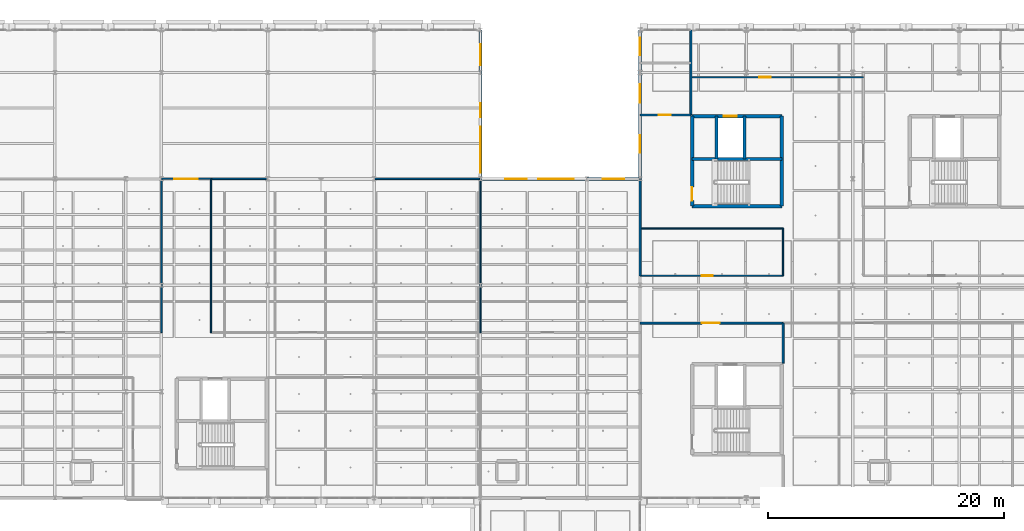
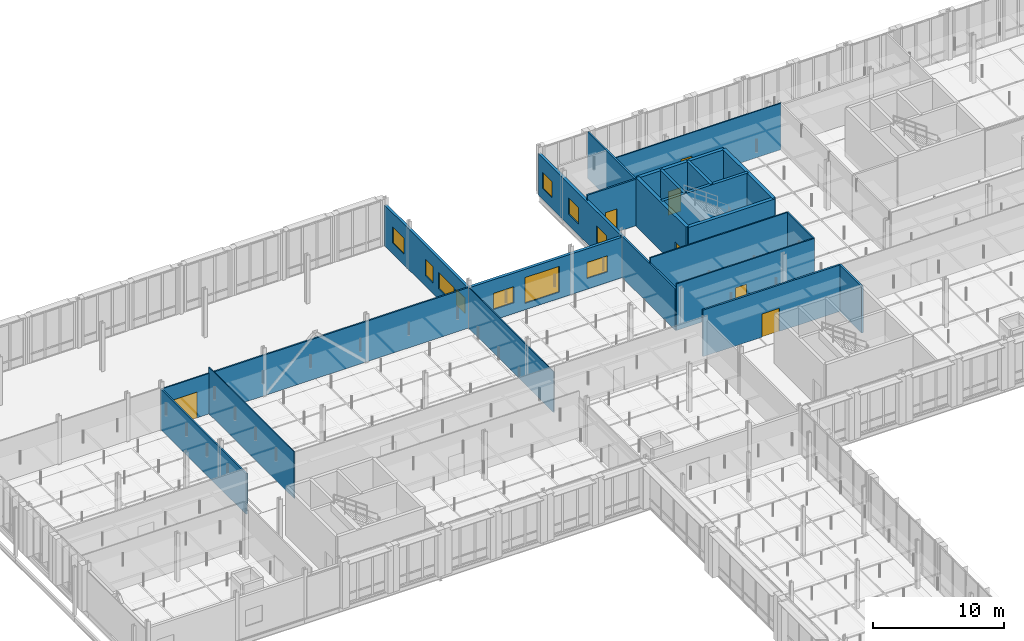
# One storey, part 72 of 130: 24 walls, 10 windows, 7 doors, 17 openings.
"""IFC4 building model written with IfcOpenShell, lengths in metres."""

from ifc_helpers import new_model, si_unit, direction, frame, frame_2d, origin, place, context, subcontext, project, spatial, rectangle, extrude, material, layer, layer_set, type_object, element, fill, save


model = new_model("IFC4")

# Units and contexts
model_context = context("Model", 3, precision=1e-05, world=origin(), true_north=direction((0.0, 1.0)))
body_context = subcontext(model_context, "Body", "Model", "MODEL_VIEW")
ifc_project = project(units=[si_unit("LENGTHUNIT", "METRE"), si_unit("AREAUNIT", "SQUARE_METRE"), si_unit("VOLUMEUNIT", "CUBIC_METRE"), si_unit("PLANEANGLEUNIT", "RADIAN"), si_unit("MASSUNIT", "GRAM", prefix="KILO"), si_unit("THERMODYNAMICTEMPERATUREUNIT", "KELVIN"), si_unit("POWERUNIT", "WATT")], contexts=[model_context])

# Site, building, storey
site_placement = place(None, origin())
site = spatial("IfcSite", under=ifc_project, at=site_placement, CompositionType="ELEMENT")
building_placement = place(site_placement, origin())
building = spatial("IfcBuilding", under=site, at=building_placement, Name="Tallowbark Science Centre", CompositionType="ELEMENT")
storey_placement = place(building_placement, frame((0.0, 0.0, 5.39990234375)))
storey = spatial("IfcBuildingStorey", under=building, at=storey_placement, Name="L01", CompositionType="ELEMENT", Elevation=5.39990234375)

# Wall, openings, windows
ifc_material_1 = material(Name="Hawkesbury Sandstone Faced Masonry Cavity Wall", Category="masonry")
ifc_layer_1 = layer(ifc_material_1, 0.22998046875)
ifc_layer_set_1 = layer_set([ifc_layer_1], Name="Hawkesbury Sandstone Faced Masonry Cavity Wall")
wall_type_1 = type_object("IfcWallType", Name="EWL-MAS-230", PredefinedType="STANDARD", material=ifc_layer_set_1)
wall_1_placement = place(storey_placement, frame((99.0, 99.0, 0.0), z_axis=(0.0, 0.0, 1.0), x_axis=(0.0, 1.0, 0.0)))
wall_1 = element("IfcWall", 1, at=wall_1_placement, inside=storey, type_object=wall_type_1, Name="Exterior Wall CAF-E-L01", PredefinedType="STANDARD", context=body_context, shape_type="SweptSolid", body=[
    extrude(rectangle(XDim=12.60009765625, YDim=0.22998046875, at=frame_2d((6.300048828125, 0.0))), origin(), (0.0, 0.0, 1.0), 3.77197265625),
])
opening_1_placement = place(wall_1_placement, frame((2.0, 0.0, 1.0)))
opening_1 = element("IfcOpeningElement", 2, at=opening_1_placement, cuts=wall_1, Name="Opening W-10", PredefinedType="OPENING", context=body_context, shape_type="SweptSolid", body=[
    extrude(rectangle(XDim=2.39990234375, YDim=1.5, at=frame_2d((1.199951171875, 0.75))), frame((0.0, 0.125, 0.0), z_axis=(0.0, -1.0, 0.0), x_axis=(1.0, 0.0, 0.0)), (0.0, 0.0, 1.0), 0.25),
])
opening_2_placement = place(wall_1_placement, frame((9.60009765625, 0.0, 1.0)))
opening_2 = element("IfcOpeningElement", 3, at=opening_2_placement, cuts=wall_1, Name="Opening W-09", PredefinedType="OPENING", context=body_context, shape_type="SweptSolid", body=[
    extrude(rectangle(XDim=1.800048828125, YDim=1.5, at=frame_2d((0.89990234375, 0.75))), frame((0.0, 0.125, 0.0), z_axis=(0.0, -1.0, 0.0), x_axis=(1.0, 0.0, 0.0)), (0.0, 0.0, 1.0), 0.25),
])
opening_3_placement = place(wall_1_placement, frame((5.199951171875, 0.0, 1.0)))
opening_3 = element("IfcOpeningElement", 4, at=opening_3_placement, cuts=wall_1, Name="Opening W-07", PredefinedType="OPENING", context=body_context, shape_type="SweptSolid", body=[
    extrude(rectangle(XDim=1.199951171875, YDim=1.5, at=frame_2d((0.60009765625, 0.75))), frame((0.0, 0.125, 0.0), z_axis=(0.0, -1.0, 0.0), x_axis=(1.0, 0.0, 0.0)), (0.0, 0.0, 1.0), 0.25),
])
opening_4_placement = place(wall_1_placement, frame((0.5, 0.0, 1.0)))
opening_4 = element("IfcOpeningElement", 5, at=opening_4_placement, cuts=wall_1, Name="Opening WS-05", PredefinedType="OPENING", context=body_context, shape_type="SweptSolid", body=[
    extrude(rectangle(XDim=1.35009765625, YDim=1.449951171875, at=frame_2d((0.675048828125, 0.72509765625))), frame((0.0, 0.125, 0.0), z_axis=(0.0, -1.0, 0.0), x_axis=(1.0, 0.0, 0.0)), (0.0, 0.0, 1.0), 0.25),
])
ifc_material_2 = material(Name="Thermally Broken Aluminium and Low-E Double Glazing", Category="aluminium")
window_type_1 = type_object("IfcWindowType", Name="WIN-F120x150", PartitioningType="SINGLE_PANEL", PredefinedType="WINDOW", material=ifc_material_2)
window_1_placement = place(opening_3_placement, origin())
window_1 = element("IfcWindow", 6, at=window_1_placement, inside=storey, type_object=window_type_1, Name="Window XOP-05", OverallHeight=1.5, OverallWidth=1.199951171875, PartitioningType="SINGLE_PANEL", PredefinedType="WINDOW", context=body_context, shape_type="SweptSolid", body=[
    extrude(rectangle(XDim=1.199951171875, YDim=1.5, at=frame_2d((0.60009765625, 0.75))), frame((0.0, 0.030029296875, 0.0), z_axis=(0.0, -1.0, 0.0), x_axis=(1.0, 0.0, 0.0)), (0.0, 0.0, 1.0), 0.06005859375),
])
fill(opening_3, window_1)
window_type_2 = type_object("IfcWindowType", Name="WIN-F180x150", PartitioningType="SINGLE_PANEL", PredefinedType="WINDOW", material=ifc_material_2)
window_2_placement = place(opening_2_placement, origin())
window_2 = element("IfcWindow", 7, at=window_2_placement, inside=storey, type_object=window_type_2, Name="Window WIN-L01-0031", OverallHeight=1.5, OverallWidth=1.800048828125, PartitioningType="SINGLE_PANEL", PredefinedType="WINDOW", context=body_context, shape_type="SweptSolid", body=[
    extrude(rectangle(XDim=1.800048828125, YDim=1.5, at=frame_2d((0.89990234375, 0.75))), frame((0.0, 0.030029296875, 0.0), z_axis=(0.0, -1.0, 0.0), x_axis=(1.0, 0.0, 0.0)), (0.0, 0.0, 1.0), 0.06005859375),
])
fill(opening_2, window_2)
window_type_3 = type_object("IfcWindowType", Name="WIN-F240x150", PartitioningType="SINGLE_PANEL", PredefinedType="WINDOW", material=ifc_material_2)
window_3_placement = place(opening_1_placement, origin())
window_3 = element("IfcWindow", 8, at=window_3_placement, inside=storey, type_object=window_type_3, Name="Window WIN-L01-0030", OverallHeight=1.5, OverallWidth=2.39990234375, PartitioningType="SINGLE_PANEL", PredefinedType="WINDOW", context=body_context, shape_type="SweptSolid", body=[
    extrude(rectangle(XDim=2.39990234375, YDim=1.5, at=frame_2d((1.199951171875, 0.75))), frame((0.0, 0.030029296875, 0.0), z_axis=(0.0, -1.0, 0.0), x_axis=(1.0, 0.0, 0.0)), (0.0, 0.0, 1.0), 0.06005859375),
])
fill(opening_1, window_3)
window_type_4 = type_object("IfcWindowType", Name="WIN-SP-135x145", PartitioningType="SINGLE_PANEL", PredefinedType="WINDOW", material=ifc_material_2)
window_4_placement = place(opening_4_placement, origin())
window_4 = element("IfcWindow", 9, at=window_4_placement, inside=storey, type_object=window_type_4, Name="Acoustic Window WSP-05", OverallHeight=1.449951171875, OverallWidth=1.35009765625, PartitioningType="SINGLE_PANEL", PredefinedType="WINDOW", context=body_context, shape_type="SweptSolid", body=[
    extrude(rectangle(XDim=1.35009765625, YDim=1.449951171875, at=frame_2d((0.675048828125, 0.72509765625))), frame((0.0, 0.030029296875, 0.0), z_axis=(0.0, -1.0, 0.0), x_axis=(1.0, 0.0, 0.0)), (0.0, 0.0, 1.0), 0.06005859375),
])
fill(opening_4, window_4)

ifc_material_3 = material(Name="Insulated Precast Concrete Panel Grade N40 (40 MPa)", Category="concrete")
ifc_layer_2 = layer(ifc_material_3, 0.25)
ifc_layer_set_2 = layer_set([ifc_layer_2], Name="Insulated Precast Concrete Panel Grade N40 (40 MPa)")
wall_type_2 = type_object("IfcWallType", Name="EWL-PRC-250", PredefinedType="STANDARD", material=ifc_layer_set_2)
wall_2_placement = place(storey_placement, frame((112.5, 99.0, 0.0), z_axis=(0.0, 0.0, 1.0), x_axis=(-1.0, 0.0, 0.0)))
wall_2 = element("IfcWall", 10, at=wall_2_placement, inside=storey, type_object=wall_type_2, Name="Exterior Wall LAB-NE-L01", PredefinedType="STANDARD", context=body_context, shape_type="SweptSolid", body=[
    extrude(rectangle(XDim=13.5, YDim=0.25, at=frame_2d((6.75, 0.0))), origin(), (0.0, 0.0, 1.0), 3.76708984375),
])
opening_5_placement = place(wall_2_placement, frame((1.35009765625, 0.0, 1.0)))
opening_5 = element("IfcOpeningElement", 11, at=opening_5_placement, cuts=wall_2, Name="Opening W-09", PredefinedType="OPENING", context=body_context, shape_type="SweptSolid", body=[
    extrude(rectangle(XDim=1.800048828125, YDim=1.5, at=frame_2d((0.89990234375, 0.75))), frame((0.0, 0.135009765625, 0.0), z_axis=(0.0, -1.0, 0.0), x_axis=(1.0, 0.0, 0.0)), (0.0, 0.0, 1.0), 0.27001953125),
])
opening_6_placement = place(wall_2_placement, frame((9.60009765625, 0.0, 1.0)))
opening_6 = element("IfcOpeningElement", 12, at=opening_6_placement, cuts=wall_2, Name="Opening W-09", PredefinedType="OPENING", context=body_context, shape_type="SweptSolid", body=[
    extrude(rectangle(XDim=1.800048828125, YDim=1.5, at=frame_2d((0.89990234375, 0.75))), frame((0.0, 0.135009765625, 0.0), z_axis=(0.0, -1.0, 0.0), x_axis=(1.0, 0.0, 0.0)), (0.0, 0.0, 1.0), 0.27001953125),
])
opening_7_placement = place(wall_2_placement, frame((5.60009765625, 0.0, 0.60009765625)))
opening_7 = element("IfcOpeningElement", 13, at=opening_7_placement, cuts=wall_2, Name="Opening W-14", PredefinedType="OPENING", context=body_context, shape_type="SweptSolid", body=[
    extrude(rectangle(XDim=3.0, YDim=2.39990234375, at=frame_2d((1.5, 1.199951171875))), frame((0.0, 0.135009765625, 0.0), z_axis=(0.0, -1.0, 0.0), x_axis=(1.0, 0.0, 0.0)), (0.0, 0.0, 1.0), 0.27001953125),
])
window_5_placement = place(opening_5_placement, origin())
window_5 = element("IfcWindow", 14, at=window_5_placement, inside=storey, type_object=window_type_2, Name="Window WIN-L01-0032", OverallHeight=1.5, OverallWidth=1.800048828125, PartitioningType="SINGLE_PANEL", PredefinedType="WINDOW", context=body_context, shape_type="SweptSolid", body=[
    extrude(rectangle(XDim=1.800048828125, YDim=1.5, at=frame_2d((0.89990234375, 0.75))), frame((0.0, 0.030029296875, 0.0), z_axis=(0.0, -1.0, 0.0), x_axis=(1.0, 0.0, 0.0)), (0.0, 0.0, 1.0), 0.06005859375),
])
fill(opening_5, window_5)
window_6_placement = place(opening_6_placement, origin())
window_6 = element("IfcWindow", 15, at=window_6_placement, inside=storey, type_object=window_type_2, Name="Window WIN-L01-0033", OverallHeight=1.5, OverallWidth=1.800048828125, PartitioningType="SINGLE_PANEL", PredefinedType="WINDOW", context=body_context, shape_type="SweptSolid", body=[
    extrude(rectangle(XDim=1.800048828125, YDim=1.5, at=frame_2d((0.89990234375, 0.75))), frame((0.0, 0.030029296875, 0.0), z_axis=(0.0, -1.0, 0.0), x_axis=(1.0, 0.0, 0.0)), (0.0, 0.0, 1.0), 0.06005859375),
])
fill(opening_6, window_6)
window_type_5 = type_object("IfcWindowType", Name="WIN-F300x240", PartitioningType="SINGLE_PANEL", PredefinedType="WINDOW", material=ifc_material_2)
window_7_placement = place(opening_7_placement, origin())
window_7 = element("IfcWindow", 16, at=window_7_placement, inside=storey, type_object=window_type_5, Name="Window XOP-07", OverallHeight=2.39990234375, OverallWidth=3.0, PartitioningType="SINGLE_PANEL", PredefinedType="WINDOW", context=body_context, shape_type="SweptSolid", body=[
    extrude(rectangle(XDim=3.0, YDim=2.39990234375, at=frame_2d((1.5, 1.199951171875))), frame((0.0, 0.030029296875, 0.0), z_axis=(0.0, -1.0, 0.0), x_axis=(1.0, 0.0, 0.0)), (0.0, 0.0, 1.0), 0.06005859375),
])
fill(opening_7, window_7)

wall_3_placement = place(storey_placement, frame((112.5, 111.60009765625, 0.0), z_axis=(0.0, 0.0, 1.0), x_axis=(0.0, -1.0, 0.0)))
wall_3 = element("IfcWall", 17, at=wall_3_placement, inside=storey, type_object=wall_type_2, Name="Exterior Wall OBS-WN-L01", PredefinedType="STANDARD", context=body_context, shape_type="SweptSolid", body=[
    extrude(rectangle(XDim=12.60009765625, YDim=0.25, at=frame_2d((6.300048828125, 0.0))), origin(), (0.0, 0.0, 1.0), 3.84619140625),
])
opening_8_placement = place(wall_3_placement, frame((0.64990234375, 0.0, 1.0)))
opening_8 = element("IfcOpeningElement", 18, at=opening_8_placement, cuts=wall_3, Name="Opening W-08", PredefinedType="OPENING", context=body_context, shape_type="SweptSolid", body=[
    extrude(rectangle(XDim=1.5, YDim=1.5, at=frame_2d((0.75, 0.75))), frame((0.0, 0.135009765625, 0.0), z_axis=(0.0, -1.0, 0.0), x_axis=(1.0, 0.0, 0.0)), (0.0, 0.0, 1.0), 0.27001953125),
])
opening_9_placement = place(wall_3_placement, frame((8.89990234375, 0.0, 1.0)))
opening_9 = element("IfcOpeningElement", 19, at=opening_9_placement, cuts=wall_3, Name="Opening W-08", PredefinedType="OPENING", context=body_context, shape_type="SweptSolid", body=[
    extrude(rectangle(XDim=1.5, YDim=1.5, at=frame_2d((0.75, 0.75))), frame((0.0, 0.135009765625, 0.0), z_axis=(0.0, -1.0, 0.0), x_axis=(1.0, 0.0, 0.0)), (0.0, 0.0, 1.0), 0.27001953125),
])
opening_10_placement = place(wall_3_placement, frame((4.60009765625, 0.0, 1.0)))
opening_10 = element("IfcOpeningElement", 20, at=opening_10_placement, cuts=wall_3, Name="Opening WS-07", PredefinedType="OPENING", context=body_context, shape_type="SweptSolid", body=[
    extrude(rectangle(XDim=1.550048828125, YDim=1.550048828125, at=frame_2d((0.77490234375, 0.77490234375))), frame((0.0, 0.135009765625, 0.0), z_axis=(0.0, -1.0, 0.0), x_axis=(1.0, 0.0, 0.0)), (0.0, 0.0, 1.0), 0.27001953125),
])
window_type_6 = type_object("IfcWindowType", Name="WIN-F150x150", PartitioningType="SINGLE_PANEL", PredefinedType="WINDOW", material=ifc_material_2)
window_8_placement = place(opening_8_placement, origin())
window_8 = element("IfcWindow", 21, at=window_8_placement, inside=storey, type_object=window_type_6, Name="Window WIN-L01-0042", OverallHeight=1.5, OverallWidth=1.5, PartitioningType="SINGLE_PANEL", PredefinedType="WINDOW", context=body_context, shape_type="SweptSolid", body=[
    extrude(rectangle(XDim=1.5, YDim=1.5, at=frame_2d((0.75, 0.75))), frame((0.0, 0.030029296875, 0.0), z_axis=(0.0, -1.0, 0.0), x_axis=(1.0, 0.0, 0.0)), (0.0, 0.0, 1.0), 0.06005859375),
])
fill(opening_8, window_8)
window_9_placement = place(opening_9_placement, origin())
window_9 = element("IfcWindow", 22, at=window_9_placement, inside=storey, type_object=window_type_6, Name="Window WIN-L01-0043", OverallHeight=1.5, OverallWidth=1.5, PartitioningType="SINGLE_PANEL", PredefinedType="WINDOW", context=body_context, shape_type="SweptSolid", body=[
    extrude(rectangle(XDim=1.5, YDim=1.5, at=frame_2d((0.75, 0.75))), frame((0.0, 0.030029296875, 0.0), z_axis=(0.0, -1.0, 0.0), x_axis=(1.0, 0.0, 0.0)), (0.0, 0.0, 1.0), 0.06005859375),
])
fill(opening_9, window_9)
window_type_7 = type_object("IfcWindowType", Name="WIN-SP-155x155", PartitioningType="SINGLE_PANEL", PredefinedType="WINDOW", material=ifc_material_2)
window_10_placement = place(opening_10_placement, origin())
window_10 = element("IfcWindow", 23, at=window_10_placement, inside=storey, type_object=window_type_7, Name="Acoustic Window WSP-07", OverallHeight=1.550048828125, OverallWidth=1.550048828125, PartitioningType="SINGLE_PANEL", PredefinedType="WINDOW", context=body_context, shape_type="SweptSolid", body=[
    extrude(rectangle(XDim=1.550048828125, YDim=1.550048828125, at=frame_2d((0.77490234375, 0.77490234375))), frame((0.0, 0.030029296875, 0.0), z_axis=(0.0, -1.0, 0.0), x_axis=(1.0, 0.0, 0.0)), (0.0, 0.0, 1.0), 0.06005859375),
])
fill(opening_10, window_10)

# Wall, opening, door
ifc_material_4 = material(Name="116 mm Acoustic Steel Stud and 16 mm Fire-Rated Plasterboard", Category="steel")
ifc_layer_3 = layer(ifc_material_4, 0.115966796875)
ifc_layer_set_3 = layer_set([ifc_layer_3], Name="116 mm Acoustic Steel Stud and 16 mm Fire-Rated Plasterboard")
wall_type_3 = type_object("IfcWallType", Name="PTW-116", PredefinedType="PARTITIONING", material=ifc_layer_set_3)
wall_4_placement = place(storey_placement, frame((112.5, 90.800048828125, 0.0), z_axis=(0.0, 0.0, 1.0), x_axis=(1.0, 0.0, 0.0)))
wall_4 = element("IfcWall", 24, at=wall_4_placement, inside=storey, type_object=wall_type_3, Name="Interior Partition PTW-L01-0194", PredefinedType="PARTITIONING", context=body_context, shape_type="SweptSolid", body=[
    extrude(rectangle(XDim=12.10009765625, YDim=0.115966796875, at=frame_2d((6.050048828125, 0.0))), origin(), (0.0, 0.0, 1.0), 4.320068359375),
])
opening_11_placement = place(wall_4_placement, frame((5.199951171875, 0.0, 0.0)))
opening_11 = element("IfcOpeningElement", 25, at=opening_11_placement, cuts=wall_4, Name="Opening ID-04", PredefinedType="OPENING", context=body_context, shape_type="SweptSolid", body=[
    extrude(rectangle(XDim=0.949951171875, YDim=2.14990234375, at=frame_2d((0.47509765625, 1.074951171875))), frame((0.0, 0.06787109375, 0.0), z_axis=(0.0, -1.0, 0.0), x_axis=(1.0, 0.0, 0.0)), (0.0, 0.0, 1.0), 0.135986328125),
])
ifc_material_5 = material(Name="Solid-Core Timber Veneer Leaf", Category="wood")
door_type_1 = type_object("IfcDoorType", Name="IDR-OFF-095", OperationType="NOTDEFINED", PredefinedType="DOOR", material=ifc_material_5)
door_1_placement = place(opening_11_placement, origin())
door_1 = element("IfcDoor", 26, at=door_1_placement, inside=storey, type_object=door_type_1, Name="Interior Door IDR-L01-0081", OperationType="SINGLE_SWING_LEFT", OverallHeight=2.14990234375, OverallWidth=0.949951171875, PredefinedType="DOOR", context=body_context, shape_type="SweptSolid", body=[
    extrude(rectangle(XDim=0.949951171875, YDim=2.14990234375, at=frame_2d((0.47509765625, 1.074951171875))), frame((0.0, 0.02490234375, 0.0), z_axis=(0.0, -1.0, 0.0), x_axis=(1.0, 0.0, 0.0)), (0.0, 0.0, 1.0), 0.050048828125),
])
fill(opening_11, door_1)

# Walls
wall_5_placement = place(storey_placement, frame((112.5, 94.800048828125, 0.0), z_axis=(0.0, 0.0, 1.0), x_axis=(1.0, 0.0, 0.0)))
element("IfcWall", 27, at=wall_5_placement, inside=storey, type_object=wall_type_3, Name="Interior Partition PTW-L01-0195", PredefinedType="PARTITIONING", context=body_context, shape_type="SweptSolid", body=[
    extrude(rectangle(XDim=12.10009765625, YDim=0.115966796875, at=frame_2d((6.050048828125, 0.0))), origin(), (0.0, 0.0, 1.0), 4.320068359375),
])
wall_6_placement = place(storey_placement, frame((124.60009765625, 90.800048828125, 0.0), z_axis=(0.0, 0.0, 1.0), x_axis=(0.0, 1.0, 0.0)))
element("IfcWall", 28, at=wall_6_placement, inside=storey, type_object=wall_type_3, Name="Interior Partition PTW-L01-0196", PredefinedType="PARTITIONING", context=body_context, shape_type="SweptSolid", body=[
    extrude(rectangle(XDim=4.0, YDim=0.115966796875, at=frame_2d((2.0, 0.0))), origin(), (0.0, 0.0, 1.0), 4.320068359375),
])
ifc_material_6 = material(Name="132 mm Acoustic Laboratory Steel Stud Partition", Category="steel")
ifc_layer_4 = layer(ifc_material_6, 0.132080078125)
ifc_layer_set_4 = layer_set([ifc_layer_4], Name="132 mm Acoustic Laboratory Steel Stud Partition")
wall_type_4 = type_object("IfcWallType", Name="PTW-132", PredefinedType="PARTITIONING", material=ifc_layer_set_4)
wall_7_placement = place(storey_placement, frame((72.0, 86.0, 0.0), z_axis=(0.0, 0.0, 1.0), x_axis=(0.0, 1.0, 0.0)))
element("IfcWall", 29, at=wall_7_placement, inside=storey, type_object=wall_type_4, Name="Interior Partition PTW-L01-0183", PredefinedType="PARTITIONING", context=body_context, shape_type="SweptSolid", body=[
    extrude(rectangle(XDim=13.0, YDim=0.132080078125, at=frame_2d((6.5, 0.0))), origin(), (0.0, 0.0, 1.0), 3.77197265625),
])
wall_8_placement = place(storey_placement, frame((76.199951171875, 99.0, 0.0), z_axis=(0.0, 0.0, 1.0), x_axis=(1.0, 0.0, 0.0)))
element("IfcWall", 30, at=wall_8_placement, inside=storey, type_object=wall_type_4, Name="Interior Partition PTW-L01-0190", PredefinedType="PARTITIONING", context=body_context, shape_type="SweptSolid", body=[
    extrude(rectangle(XDim=22.800048828125, YDim=0.132080078125, at=frame_2d((11.39990234375, 0.0))), origin(), (0.0, 0.0, 1.0), 3.76708984375),
])

# Wall, opening, door
ifc_material_7 = material(Name="150 mm Wet-Area Moisture-Resistant Partition")
ifc_layer_5 = layer(ifc_material_7, 0.14990234375)
ifc_layer_set_5 = layer_set([ifc_layer_5], Name="150 mm Wet-Area Moisture-Resistant Partition")
wall_type_5 = type_object("IfcWallType", Name="PTW-150", PredefinedType="PARTITIONING", material=ifc_layer_set_5)
wall_9_placement = place(storey_placement, frame((112.5, 104.39990234375, 0.0), z_axis=(0.0, 0.0, 1.0), x_axis=(1.0, 0.0, 0.0)))
wall_9 = element("IfcWall", 31, at=wall_9_placement, inside=storey, type_object=wall_type_5, Name="Interior Partition PTW-L01-0197", PredefinedType="PARTITIONING", context=body_context, shape_type="SweptSolid", body=[
    extrude(rectangle(XDim=4.300048828125, YDim=0.14990234375, at=frame_2d((2.14990234375, 0.0))), origin(), (0.0, 0.0, 1.0), 4.320068359375),
])
opening_12_placement = place(wall_9_placement, frame((1.60009765625, 0.0, 0.0)))
opening_12 = element("IfcOpeningElement", 32, at=opening_12_placement, cuts=wall_9, Name="Opening ID-06", PredefinedType="OPENING", context=body_context, shape_type="SweptSolid", body=[
    extrude(rectangle(XDim=1.0, YDim=2.14990234375, at=frame_2d((0.5, 1.074951171875))), frame((0.0, 0.0849609375, 0.0), z_axis=(0.0, -1.0, 0.0), x_axis=(1.0, 0.0, 0.0)), (0.0, 0.0, 1.0), 0.169921875),
])
ifc_material_8 = material(Name="Accessible Cavity Sliding Leaf")
door_type_2 = type_object("IfcDoorType", Name="IDR-AWC-100", OperationType="SLIDING_TO_LEFT", PredefinedType="DOOR", material=ifc_material_8)
door_2_placement = place(opening_12_placement, origin())
door_2 = element("IfcDoor", 33, at=door_2_placement, inside=storey, type_object=door_type_2, Name="Interior Door IDR-L01-0082", OperationType="SLIDING_TO_LEFT", OverallHeight=2.14990234375, OverallWidth=1.0, PredefinedType="DOOR", context=body_context, shape_type="SweptSolid", body=[
    extrude(rectangle(XDim=1.0, YDim=2.14990234375, at=frame_2d((0.5, 1.074951171875))), frame((0.0, 0.02490234375, 0.0), z_axis=(0.0, -1.0, 0.0), x_axis=(1.0, 0.0, 0.0)), (0.0, 0.0, 1.0), 0.050048828125),
])
fill(opening_12, door_2)

# Walls
wall_10_placement = place(storey_placement, frame((116.800048828125, 104.39990234375, 0.0), z_axis=(0.0, 0.0, 1.0), x_axis=(0.0, 1.0, 0.0)))
element("IfcWall", 34, at=wall_10_placement, inside=storey, type_object=wall_type_5, Name="Interior Partition PTW-L01-0199", PredefinedType="PARTITIONING", context=body_context, shape_type="SweptSolid", body=[
    extrude(rectangle(XDim=7.2001953125, YDim=0.14990234375, at=frame_2d((3.60009765625, 0.0))), origin(), (0.0, 0.0, 1.0), 4.320068359375),
])
ifc_material_9 = material(Name="162 mm Double-Stud Fire-Rated Corridor Partition")
ifc_layer_6 = layer(ifc_material_9, 0.162109375)
ifc_layer_set_6 = layer_set([ifc_layer_6], Name="162 mm Double-Stud Fire-Rated Corridor Partition")
wall_type_6 = type_object("IfcWallType", Name="PTW-162", PredefinedType="PARTITIONING", material=ifc_layer_set_6)
wall_11_placement = place(storey_placement, frame((112.5, 90.800048828125, 0.0), z_axis=(0.0, 0.0, 1.0), x_axis=(0.0, 1.0, 0.0)))
element("IfcWall", 35, at=wall_11_placement, inside=storey, type_object=wall_type_6, Name="Interior Partition PTW-L01-0004", PredefinedType="PARTITIONING", context=body_context, shape_type="SweptSolid", body=[
    extrude(rectangle(XDim=8.199951171875, YDim=0.162109375, at=frame_2d((4.10009765625, 0.0))), origin(), (0.0, 0.0, 1.0), 3.84619140625),
])

# Wall, opening, door
wall_12_placement = place(storey_placement, frame((112.5, 86.800048828125, 0.0), z_axis=(0.0, 0.0, 1.0), x_axis=(1.0, 0.0, 0.0)))
wall_12 = element("IfcWall", 36, at=wall_12_placement, inside=storey, type_object=wall_type_6, Name="Interior Partition PTW-L01-0023", PredefinedType="PARTITIONING", context=body_context, shape_type="SweptSolid", body=[
    extrude(rectangle(XDim=12.10009765625, YDim=0.162109375, at=frame_2d((6.050048828125, 0.0))), origin(), (0.0, 0.0, 1.0), 4.320068359375),
])
opening_13_placement = place(wall_12_placement, frame((5.199951171875, 0.0, 0.0)))
opening_13 = element("IfcOpeningElement", 37, at=opening_13_placement, cuts=wall_12, Name="Opening DS-05", PredefinedType="OPENING", context=body_context, shape_type="SweptSolid", body=[
    extrude(rectangle(XDim=1.530029296875, YDim=2.14990234375, at=frame_2d((0.76513671875, 1.074951171875))), frame((0.0, 0.091064453125, 0.0), z_axis=(0.0, -1.0, 0.0), x_axis=(1.0, 0.0, 0.0)), (0.0, 0.0, 1.0), 0.18212890625),
])
ifc_material_10 = material(Name="Fire-Rated Glazed Steel Pair", Category="steel")
door_type_3 = type_object("IfcDoorType", Name="FDR-LOB-145-S05", OperationType="DOUBLE_DOOR_SINGLE_SWING", PredefinedType="DOOR", material=ifc_material_10)
door_3_placement = place(opening_13_placement, origin())
door_3 = element("IfcDoor", 38, at=door_3_placement, inside=storey, type_object=door_type_3, Name="Interior Door IDR-L01-0005", OperationType="DOUBLE_DOOR_SINGLE_SWING", OverallHeight=2.14990234375, OverallWidth=1.530029296875, PredefinedType="DOOR", context=body_context, shape_type="SweptSolid", body=[
    extrude(rectangle(XDim=1.530029296875, YDim=2.14990234375, at=frame_2d((0.76513671875, 1.074951171875))), frame((0.0, 0.02490234375, 0.0), z_axis=(0.0, -1.0, 0.0), x_axis=(1.0, 0.0, 0.0)), (0.0, 0.0, 1.0), 0.050048828125),
])
fill(opening_13, door_3)

# Walls
wall_13_placement = place(storey_placement, frame((124.60009765625, 83.39990234375, 0.0), z_axis=(0.0, 0.0, 1.0), x_axis=(0.0, 1.0, 0.0)))
element("IfcWall", 39, at=wall_13_placement, inside=storey, type_object=wall_type_6, Name="Interior Partition PTW-L01-0024", PredefinedType="PARTITIONING", context=body_context, shape_type="SweptSolid", body=[
    extrude(rectangle(XDim=3.400146484375, YDim=0.162109375, at=frame_2d((1.7001953125, 0.0))), origin(), (0.0, 0.0, 1.0), 4.320068359375),
])
ifc_material_11 = material(Name="92 mm Steel Stud and Double 13 mm Plasterboard Partition", Category="steel")
ifc_layer_7 = layer(ifc_material_11, 0.092041015625)
ifc_layer_set_7 = layer_set([ifc_layer_7], Name="92 mm Steel Stud and Double 13 mm Plasterboard Partition")
wall_type_7 = type_object("IfcWallType", Name="PTW-92", PredefinedType="PARTITIONING", material=ifc_layer_set_7)
wall_14_placement = place(storey_placement, frame((76.199951171875, 86.0, 0.0), z_axis=(0.0, 0.0, 1.0), x_axis=(0.0, 1.0, 0.0)))
element("IfcWall", 40, at=wall_14_placement, inside=storey, type_object=wall_type_7, Name="Interior Partition PTW-L01-0186", PredefinedType="PARTITIONING", context=body_context, shape_type="SweptSolid", body=[
    extrude(rectangle(XDim=13.0, YDim=0.092041015625, at=frame_2d((6.5, 0.0))), origin(), (0.0, 0.0, 1.0), 4.320068359375),
])
wall_15_placement = place(storey_placement, frame((99.0, 86.0, 0.0), z_axis=(0.0, 0.0, 1.0), x_axis=(0.0, 1.0, 0.0)))
element("IfcWall", 41, at=wall_15_placement, inside=storey, type_object=wall_type_7, Name="Interior Partition PTW-L01-0187", PredefinedType="PARTITIONING", context=body_context, shape_type="SweptSolid", body=[
    extrude(rectangle(XDim=13.0, YDim=0.092041015625, at=frame_2d((6.5, 0.0))), origin(), (0.0, 0.0, 1.0), 3.77197265625),
])

# Wall, opening, door
ifc_material_12 = material(Name="108 mm Acoustic Double-Glazed Laboratory Partition")
ifc_layer_8 = layer(ifc_material_12, 0.10791015625)
ifc_layer_set_8 = layer_set([ifc_layer_8], Name="108 mm Acoustic Double-Glazed Laboratory Partition")
wall_type_8 = type_object("IfcWallType", Name="PTW-GLZ-108", PredefinedType="PARTITIONING", material=ifc_layer_set_8)
wall_16_placement = place(storey_placement, frame((72.0, 99.0, 0.0), z_axis=(0.0, 0.0, 1.0), x_axis=(1.0, 0.0, 0.0)))
wall_16 = element("IfcWall", 42, at=wall_16_placement, inside=storey, type_object=wall_type_8, Name="Interior Partition PTW-L01-0189", PredefinedType="PARTITIONING", context=body_context, shape_type="SweptSolid", body=[
    extrude(rectangle(XDim=4.199951171875, YDim=0.10791015625, at=frame_2d((2.10009765625, 0.0))), origin(), (0.0, 0.0, 1.0), 3.76708984375),
])
opening_14_placement = place(wall_16_placement, frame((1.10009765625, 0.0, 0.0)))
opening_14 = element("IfcOpeningElement", 43, at=opening_14_placement, cuts=wall_16, Name="Opening ID-02", PredefinedType="OPENING", context=body_context, shape_type="SweptSolid", body=[
    extrude(rectangle(XDim=2.0, YDim=2.39990234375, at=frame_2d((1.0, 1.199951171875))), frame((0.0, 0.06396484375, 0.0), z_axis=(0.0, -1.0, 0.0), x_axis=(1.0, 0.0, 0.0)), (0.0, 0.0, 1.0), 0.1279296875),
])
ifc_material_13 = material(Name="Spotted Gum Acoustic Gallery Pair", Category="wood")
door_type_4 = type_object("IfcDoorType", Name="IDR-GAL-200", OperationType="DOUBLE_DOOR_DOUBLE_SWING", PredefinedType="DOOR", material=ifc_material_13)
door_4_placement = place(opening_14_placement, origin())
door_4 = element("IfcDoor", 44, at=door_4_placement, inside=storey, type_object=door_type_4, Name="Interior Door IDR-L01-0078", OperationType="DOUBLE_DOOR_DOUBLE_SWING", OverallHeight=2.39990234375, OverallWidth=2.0, PredefinedType="DOOR", context=body_context, shape_type="SweptSolid", body=[
    extrude(rectangle(XDim=2.0, YDim=2.39990234375, at=frame_2d((1.0, 1.199951171875))), frame((0.0, 0.02490234375, 0.0), z_axis=(0.0, -1.0, 0.0), x_axis=(1.0, 0.0, 0.0)), (0.0, 0.0, 1.0), 0.050048828125),
])
fill(opening_14, door_4)

wall_17_placement = place(storey_placement, frame((116.800048828125, 107.60009765625, 0.0), z_axis=(0.0, 0.0, 1.0), x_axis=(1.0, 0.0, 0.0)))
wall_17 = element("IfcWall", 45, at=wall_17_placement, inside=storey, type_object=wall_type_8, Name="Interior Partition PTW-L01-0200", PredefinedType="PARTITIONING", context=body_context, shape_type="SweptSolid", body=[
    extrude(rectangle(XDim=14.599853515625, YDim=0.10791015625, at=frame_2d((7.2998046875, 0.0))), origin(), (0.0, 0.0, 1.0), 4.320068359375),
])
opening_15_placement = place(wall_17_placement, frame((5.800048828125, 0.0, 0.0)))
opening_15 = element("IfcOpeningElement", 46, at=opening_15_placement, cuts=wall_17, Name="Opening ID-04", PredefinedType="OPENING", context=body_context, shape_type="SweptSolid", body=[
    extrude(rectangle(XDim=0.949951171875, YDim=2.14990234375, at=frame_2d((0.47509765625, 1.074951171875))), frame((0.0, 0.06396484375, 0.0), z_axis=(0.0, -1.0, 0.0), x_axis=(1.0, 0.0, 0.0)), (0.0, 0.0, 1.0), 0.1279296875),
])
door_5_placement = place(opening_15_placement, origin())
door_5 = element("IfcDoor", 47, at=door_5_placement, inside=storey, type_object=door_type_1, Name="Interior Door IDR-L01-0083", OperationType="SINGLE_SWING_RIGHT", OverallHeight=2.14990234375, OverallWidth=0.949951171875, PredefinedType="DOOR", context=body_context, shape_type="SweptSolid", body=[
    extrude(rectangle(XDim=0.949951171875, YDim=2.14990234375, at=frame_2d((0.47509765625, 1.074951171875))), frame((0.0, 0.02490234375, 0.0), z_axis=(0.0, -1.0, 0.0), x_axis=(1.0, 0.0, 0.0)), (0.0, 0.0, 1.0), 0.050048828125),
])
fill(opening_15, door_5)

ifc_material_14 = material(Name="Concrete Grade N40 (40 MPa)", Category="concrete")
ifc_layer_9 = layer(ifc_material_14, 0.300048828125)
ifc_layer_set_9 = layer_set([ifc_layer_9], Name="Concrete Grade N40 (40 MPa)")
wall_type_9 = type_object("IfcWallType", Name="WL-CORE-300", PredefinedType="SHEAR", material=ifc_layer_set_9)
wall_18_placement = place(storey_placement, frame((116.89990234375, 96.699951171875, 0.0), z_axis=(0.0, 0.0, 1.0), x_axis=(0.0, 1.0, 0.0)))
wall_18 = element("IfcWall", 48, at=wall_18_placement, inside=storey, type_object=wall_type_9, Name="Core C5 Shear Wall L01 W", PredefinedType="SHEAR", context=body_context, shape_type="SweptSolid", body=[
    extrude(rectangle(XDim=7.60009765625, YDim=0.300048828125, at=frame_2d((3.800048828125, 0.0))), origin(), (0.0, 0.0, 1.0), 4.5),
])
opening_16_placement = place(wall_18_placement, frame((0.449951171875, 0.0, 0.0)))
opening_16 = element("IfcOpeningElement", 49, at=opening_16_placement, cuts=wall_18, Name="Opening FD-01", PredefinedType="OPENING", context=body_context, shape_type="SweptSolid", body=[
    extrude(rectangle(XDim=1.14990234375, YDim=2.14990234375, at=frame_2d((0.574951171875, 1.074951171875))), frame((0.0, 0.16015625, 0.0), z_axis=(0.0, -1.0, 0.0), x_axis=(1.0, 0.0, 0.0)), (0.0, 0.0, 1.0), 0.320068359375),
])
ifc_material_15 = material(Name="Fire-Rated Pressed Steel Frame and Solid Core Leaf", Category="steel")
door_type_5 = type_object("IfcDoorType", Name="FDR-STR-115", OperationType="NOTDEFINED", PredefinedType="DOOR", material=ifc_material_15)
door_6_placement = place(opening_16_placement, origin())
door_6 = element("IfcDoor", 50, at=door_6_placement, inside=storey, type_object=door_type_5, Name="Stair ST-05 Fire Door L01", OperationType="SINGLE_SWING_RIGHT", OverallHeight=2.14990234375, OverallWidth=1.14990234375, PredefinedType="DOOR", context=body_context, shape_type="SweptSolid", body=[
    extrude(rectangle(XDim=1.14990234375, YDim=2.14990234375, at=frame_2d((0.574951171875, 1.074951171875))), frame((0.0, 0.02490234375, 0.0), z_axis=(0.0, -1.0, 0.0), x_axis=(1.0, 0.0, 0.0)), (0.0, 0.0, 1.0), 0.050048828125),
])
fill(opening_16, door_6)

# Walls
for number, where, z_axis, x_axis, name in (
    (51, (124.5, 96.699951171875, 0.0), (0.0, 0.0, 1.0), (0.0, 1.0, 0.0), "Core C5 Shear Wall L01 E"),
    (52, (116.89990234375, 96.699951171875, 0.0), (0.0, 0.0, 1.0), (1.0, 0.0, 0.0), "Core C5 Shear Wall L01 S"),
):
    element("IfcWall", number, at=place(storey_placement, frame(where, z_axis=z_axis, x_axis=x_axis)), inside=storey, type_object=wall_type_9, Name=name, PredefinedType="SHEAR", context=body_context, shape_type="SweptSolid", body=[
        extrude(rectangle(XDim=7.60009765625, YDim=0.300048828125, at=frame_2d((3.800048828125, 0.0))), origin(), (0.0, 0.0, 1.0), 4.5),
    ])

# Wall, opening, door
wall_19_placement = place(storey_placement, frame((116.89990234375, 104.300048828125, 0.0), z_axis=(0.0, 0.0, 1.0), x_axis=(1.0, 0.0, 0.0)))
wall_19 = element("IfcWall", 53, at=wall_19_placement, inside=storey, type_object=wall_type_9, Name="Core C5 Shear Wall L01 N", PredefinedType="SHEAR", context=body_context, shape_type="SweptSolid", body=[
    extrude(rectangle(XDim=7.60009765625, YDim=0.300048828125, at=frame_2d((3.800048828125, 0.0))), origin(), (0.0, 0.0, 1.0), 4.5),
])
opening_17_placement = place(wall_19_placement, frame((2.699951171875, 0.0, 0.0)))
opening_17 = element("IfcOpeningElement", 54, at=opening_17_placement, cuts=wall_19, Name="Opening LD-01", PredefinedType="OPENING", context=body_context, shape_type="SweptSolid", body=[
    extrude(rectangle(XDim=1.10009765625, YDim=2.199951171875, at=frame_2d((0.550048828125, 1.10009765625))), frame((0.0, 0.16015625, 0.0), z_axis=(0.0, -1.0, 0.0), x_axis=(1.0, 0.0, 0.0)), (0.0, 0.0, 1.0), 0.320068359375),
])
ifc_material_16 = material(Name="Brushed Stainless Steel Centre-Parting Lift Landing Door", Category="steel")
door_type_6 = type_object("IfcDoorType", Name="LDR-LFT-110", OperationType="DOUBLE_DOOR_SLIDING", PredefinedType="DOOR", material=ifc_material_16)
door_7_placement = place(opening_17_placement, origin())
door_7 = element("IfcDoor", 55, at=door_7_placement, inside=storey, type_object=door_type_6, Name="Lift LF-04 Landing Door L01", OperationType="DOUBLE_DOOR_SLIDING", OverallHeight=2.199951171875, OverallWidth=1.10009765625, PredefinedType="DOOR", context=body_context, shape_type="SweptSolid", body=[
    extrude(rectangle(XDim=1.10009765625, YDim=2.199951171875, at=frame_2d((0.550048828125, 1.10009765625))), frame((0.0, 0.02490234375, 0.0), z_axis=(0.0, -1.0, 0.0), x_axis=(1.0, 0.0, 0.0)), (0.0, 0.0, 1.0), 0.050048828125),
])
fill(opening_17, door_7)

# Walls
ifc_layer_10 = layer(ifc_material_14, 0.25)
ifc_layer_set_10 = layer_set([ifc_layer_10], Name="Concrete Grade N40 (40 MPa)")
wall_type_10 = type_object("IfcWallType", Name="WL-SHAFT-250", PredefinedType="SHEAR", material=ifc_layer_set_10)
wall_20_placement = place(storey_placement, frame((116.89990234375, 100.695068359375, 0.0), z_axis=(0.0, 0.0, 1.0), x_axis=(1.0, 0.0, 0.0)))
element("IfcWall", 56, at=wall_20_placement, inside=storey, type_object=wall_type_10, Name="Core C5 Shear Wall L01 MID", PredefinedType="SHEAR", context=body_context, shape_type="SweptSolid", body=[
    extrude(rectangle(XDim=7.60009765625, YDim=0.25, at=frame_2d((3.800048828125, 0.0))), origin(), (0.0, 0.0, 1.0), 4.5),
])
for number, where, z_axis, x_axis, name in (
    (57, (118.97509765625, 100.695068359375, 0.0), (0.0, 0.0, 1.0), (0.0, 1.0, 0.0), "Core C5 Shear Wall L01 LW"),
    (58, (121.324951171875, 100.695068359375, 0.0), (0.0, 0.0, 1.0), (0.0, 1.0, 0.0), "Core C5 Shear Wall L01 LE"),
):
    element("IfcWall", number, at=place(storey_placement, frame(where, z_axis=z_axis, x_axis=x_axis)), inside=storey, type_object=wall_type_10, Name=name, PredefinedType="SHEAR", context=body_context, shape_type="SweptSolid", body=[
        extrude(rectangle(XDim=3.60498046875, YDim=0.25, at=frame_2d((1.802490234375, 0.0))), origin(), (0.0, 0.0, 1.0), 4.5),
    ])

save(model, "model.ifc")
